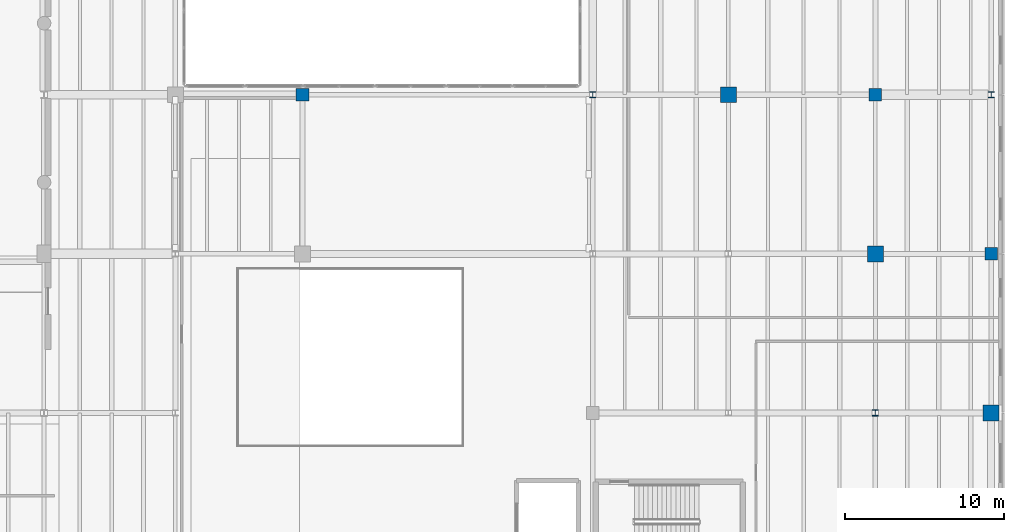
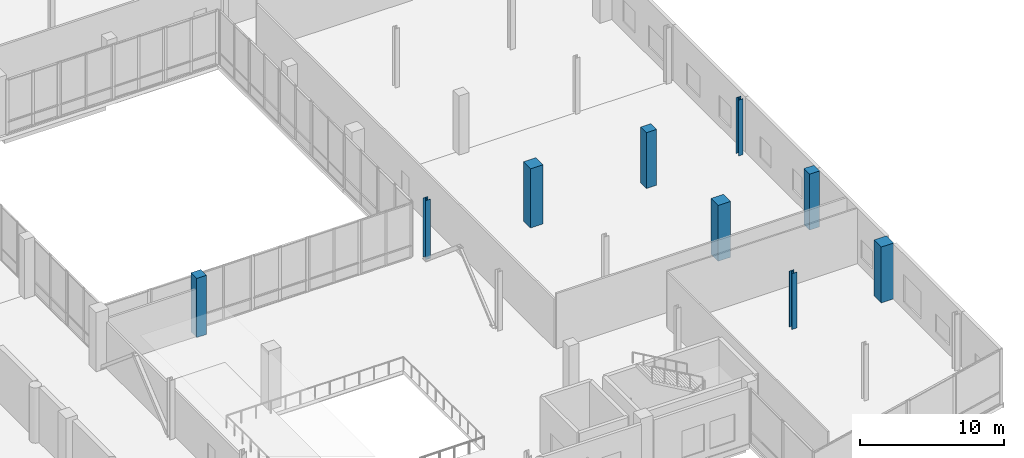
# One storey, part 14 of 81: 9 columns.
"""IFC4 building model written with IfcOpenShell, lengths in metres."""

from ifc_helpers import new_model, si_unit, direction, frame, origin, origin_2d, place, context, subcontext, project, spatial, rectangle, i_section, extrude, material, material_profile, profile_set, type_object, element, save


model = new_model("IFC4")

# Units and contexts
model_context = context("Model", 3, precision=1e-05, world=origin(), true_north=direction((0.0, 1.0)))
body_context = subcontext(model_context, "Body", "Model", "MODEL_VIEW")
ifc_project = project(units=[si_unit("LENGTHUNIT", "METRE"), si_unit("AREAUNIT", "SQUARE_METRE"), si_unit("VOLUMEUNIT", "CUBIC_METRE"), si_unit("PLANEANGLEUNIT", "RADIAN"), si_unit("MASSUNIT", "GRAM", prefix="KILO")], contexts=[model_context])

# Site, building, storey
site_placement = place(None, origin())
site = spatial("IfcSite", under=ifc_project, at=site_placement, CompositionType="ELEMENT")
building_placement = place(site_placement, origin())
building = spatial("IfcBuilding", under=site, at=building_placement, Name="Trimount Lyric Opera House", CompositionType="ELEMENT")
storey_placement = place(building_placement, frame((0.0, 0.0, 5.0)))
storey = spatial("IfcBuildingStorey", under=building, at=storey_placement, Name="L01", CompositionType="ELEMENT", Elevation=5.0)

# Columns
ifc_material_1 = material(Name="Steel ASTM A992 Grade 50", Category="steel")
ifc_material_profile_1 = material_profile(ifc_material_1, i_section(OverallWidth=0.39892578125, OverallDepth=0.385986328125, WebThickness=0.02099609375, FlangeThickness=0.033203125, FilletRadius=0.01611328125, at=origin_2d()), Name="W14X176")
ifc_profile_set_1 = profile_set([ifc_material_profile_1], Name="Steel ASTM A992 Grade 50")
column_type_1 = type_object("IfcColumnType", Name="C-03", PredefinedType="COLUMN", material=ifc_profile_set_1)
column_1_placement = place(storey_placement, frame((148.239990234375, 74.0, 0.0), z_axis=(0.0, 0.0, 1.0), x_axis=(1.0, 0.0, 0.0)))
element("IfcColumn", 1, at=column_1_placement, inside=storey, type_object=column_type_1, Name="L01 column 17/J", PredefinedType="COLUMN", context=body_context, shape_type="SweptSolid", body=[
    extrude(i_section(OverallWidth=0.39892578125, OverallDepth=0.385986328125, WebThickness=0.02099609375, FlangeThickness=0.033203125, FilletRadius=0.01611328125, at=origin_2d()), origin(), (0.0, 0.0, 1.0), 5.0),
])
column_2_placement = place(storey_placement, frame((166.0, 54.0, 0.0), z_axis=(0.0, 0.0, 1.0), x_axis=(1.0, 0.0, 0.0)))
element("IfcColumn", 2, at=column_2_placement, inside=storey, type_object=column_type_1, Name="L01 column 19/G", PredefinedType="COLUMN", context=body_context, shape_type="SweptSolid", body=[
    extrude(i_section(OverallWidth=0.39892578125, OverallDepth=0.385986328125, WebThickness=0.02099609375, FlangeThickness=0.033203125, FilletRadius=0.01611328125, at=origin_2d()), origin(), (0.0, 0.0, 1.0), 4.72998046875),
])
ifc_material_2 = material(Name="Steel ASTM A992 Grade 50", Category="steel")
ifc_material_profile_2 = material_profile(ifc_material_2, i_section(OverallWidth=0.373046875, OverallDepth=0.367919921875, WebThickness=0.014892578125, FlangeThickness=0.02392578125, FilletRadius=0.014892578125, at=origin_2d()), Name="W14X120")
ifc_profile_set_2 = profile_set([ifc_material_profile_2], Name="Steel ASTM A992 Grade 50")
column_type_2 = type_object("IfcColumnType", Name="C-08", PredefinedType="COLUMN", material=ifc_profile_set_2)
column_3_placement = place(storey_placement, frame((173.280029296875, 74.0, 0.0), z_axis=(0.0, 0.0, 1.0), x_axis=(1.0, 0.0, 0.0)))
element("IfcColumn", 3, at=column_3_placement, inside=storey, type_object=column_type_2, Name="L01 column 20/J", PredefinedType="COLUMN", context=body_context, shape_type="SweptSolid", body=[
    extrude(i_section(OverallWidth=0.373046875, OverallDepth=0.367919921875, WebThickness=0.014892578125, FlangeThickness=0.02392578125, FilletRadius=0.014892578125, at=origin_2d()), origin(), (0.0, 0.0, 1.0), 4.72998046875),
])
ifc_material_3 = material(Name="Concrete C50/60", Category="concrete")
ifc_material_profile_3 = material_profile(ifc_material_3, rectangle(XDim=1.0, YDim=1.0, at=origin_2d()), Name="RC1000X1000")
ifc_profile_set_3 = profile_set([ifc_material_profile_3], Name="Concrete C50/60")
column_type_3 = type_object("IfcColumnType", Name="C-12", PredefinedType="COLUMN", material=ifc_profile_set_3)
column_4_placement = place(storey_placement, frame((156.760009765625, 74.0, 0.0), z_axis=(0.0, 0.0, 1.0), x_axis=(1.0, 0.0, 0.0)))
element("IfcColumn", 4, at=column_4_placement, inside=storey, type_object=column_type_3, Name="L01 column 18/J", PredefinedType="COLUMN", context=body_context, shape_type="SweptSolid", body=[
    extrude(rectangle(XDim=1.0, YDim=1.0, at=origin_2d()), origin(), (0.0, 0.0, 1.0), 5.0),
])
for number, where, z_axis, x_axis, name in (
    (5, (166.0, 64.0, 0.0), (0.0, 0.0, 1.0), (1.0, 0.0, 0.0), "L01 column 19/H"),
    (6, (173.280029296875, 54.0, 0.0), (0.0, 0.0, 1.0), (1.0, 0.0, 0.0), "L01 column 20/G"),
):
    element("IfcColumn", number, at=place(storey_placement, frame(where, z_axis=z_axis, x_axis=x_axis)), inside=storey, type_object=column_type_3, Name=name, PredefinedType="COLUMN", context=body_context, shape_type="SweptSolid", body=[
        extrude(rectangle(XDim=1.0, YDim=1.0, at=origin_2d()), origin(), (0.0, 0.0, 1.0), 4.72998046875),
    ])
ifc_material_4 = material(Name="Concrete C40/50", Category="concrete")
ifc_material_profile_4 = material_profile(ifc_material_4, rectangle(XDim=0.800048828125, YDim=0.800048828125, at=origin_2d()), Name="RC800X800")
ifc_profile_set_4 = profile_set([ifc_material_profile_4], Name="Concrete C40/50")
column_type_4 = type_object("IfcColumnType", Name="C-14", PredefinedType="COLUMN", material=ifc_profile_set_4)
column_5_placement = place(storey_placement, frame((130.0, 74.0, 0.0), z_axis=(0.0, 0.0, 1.0), x_axis=(1.0, 0.0, 0.0)))
element("IfcColumn", 7, at=column_5_placement, inside=storey, type_object=column_type_4, Name="L01 column 15/J", PredefinedType="COLUMN", context=body_context, shape_type="SweptSolid", body=[
    extrude(rectangle(XDim=0.800048828125, YDim=0.800048828125, at=origin_2d()), origin(), (0.0, 0.0, 1.0), 5.0),
])
for number, where, z_axis, x_axis, name in (
    (8, (166.0, 74.0, 0.0), (0.0, 0.0, 1.0), (1.0, 0.0, 0.0), "L01 column 19/J"),
    (9, (173.280029296875, 64.0, 0.0), (0.0, 0.0, 1.0), (1.0, 0.0, 0.0), "L01 column 20/H"),
):
    element("IfcColumn", number, at=place(storey_placement, frame(where, z_axis=z_axis, x_axis=x_axis)), inside=storey, type_object=column_type_4, Name=name, PredefinedType="COLUMN", context=body_context, shape_type="SweptSolid", body=[
        extrude(rectangle(XDim=0.800048828125, YDim=0.800048828125, at=origin_2d()), origin(), (0.0, 0.0, 1.0), 4.72998046875),
    ])

save(model, "model.ifc")
